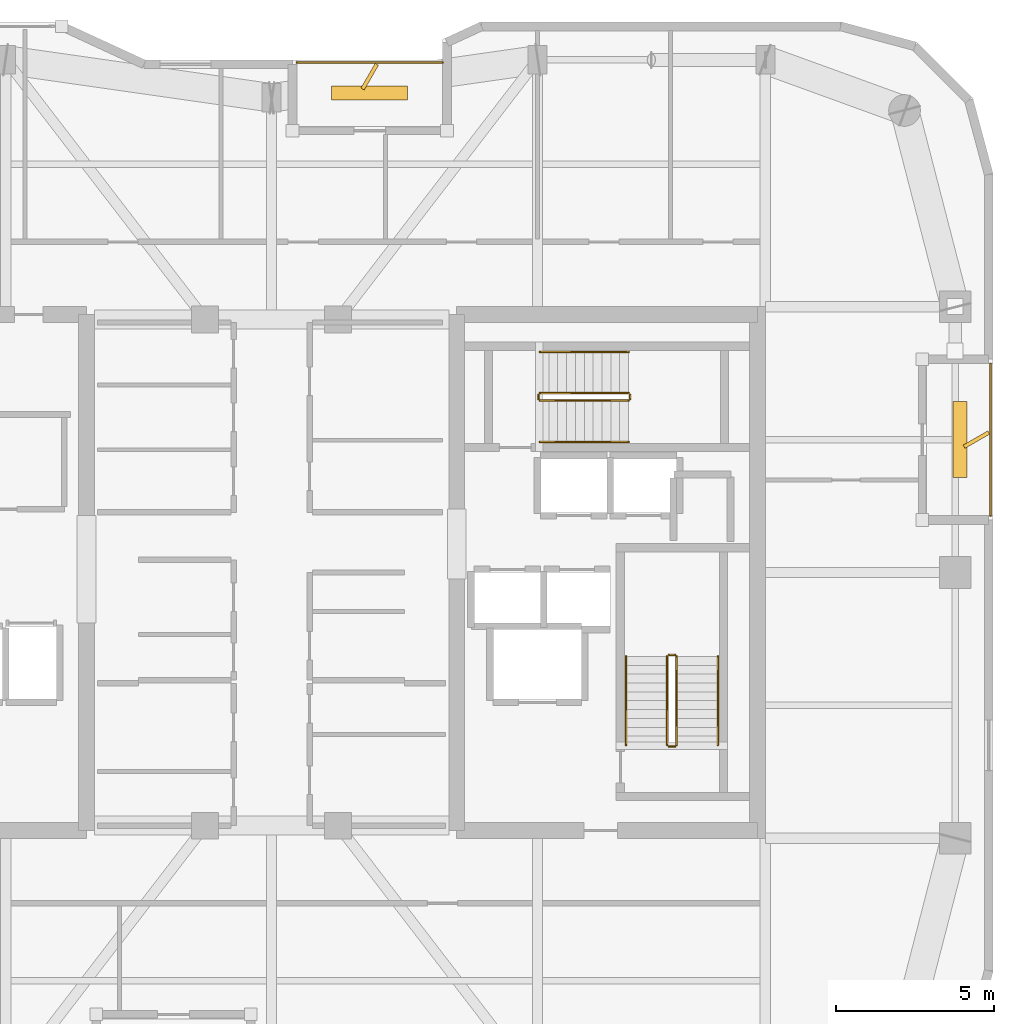
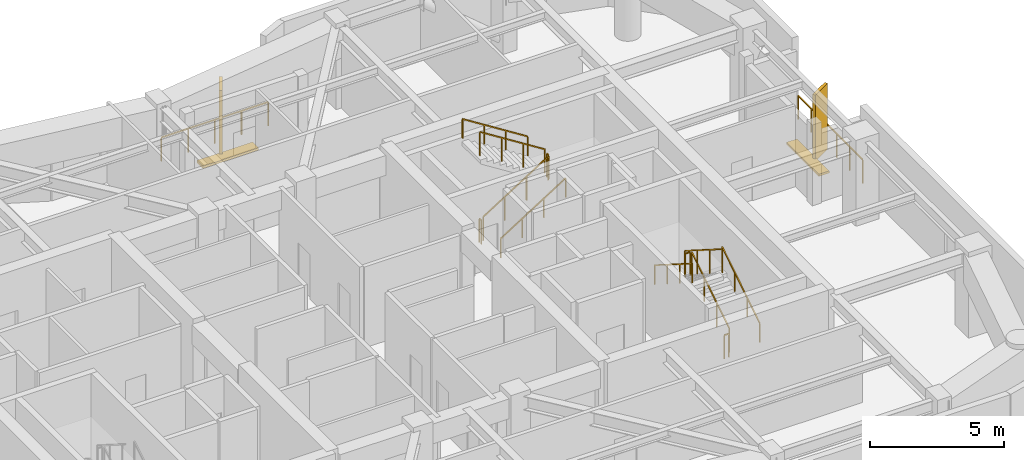
# One storey, part 15 of 15: 14 railings, 4 shading devices.
"""IFC4 building model written with IfcOpenShell, lengths in metres."""

from ifc_helpers import new_model, si_unit, direction, frame, origin, origin_2d, place, context, subcontext, project, spatial, rectangle, extrude, material, type_object, element, save


model = new_model("IFC4")

# Units and contexts
model_context = context("Model", 3, precision=1e-05, world=origin(), true_north=direction((0.0, 1.0)))
body_context = subcontext(model_context, "Body", "Model", "MODEL_VIEW")
ifc_project = project(units=[si_unit("LENGTHUNIT", "METRE"), si_unit("AREAUNIT", "SQUARE_METRE"), si_unit("VOLUMEUNIT", "CUBIC_METRE"), si_unit("PLANEANGLEUNIT", "RADIAN"), si_unit("MASSUNIT", "GRAM", prefix="KILO")], contexts=[model_context])

# Site, building, storey
site_placement = place(None, origin())
site = spatial("IfcSite", under=ifc_project, at=site_placement, CompositionType="ELEMENT")
building_placement = place(site_placement, origin())
building = spatial("IfcBuilding", under=site, at=building_placement, Name="Kiyonajd Concourse Tower", CompositionType="ELEMENT")
storey_placement = place(building_placement, frame((0.0, 0.0, 274.5)))
storey = spatial("IfcBuildingStorey", under=building, at=storey_placement, Name="L69", CompositionType="ELEMENT", Elevation=274.5)

# Railings
ifc_material_1 = material(Name="Thermally Broken Anodised Aluminium", Category="aluminium")
railing_type_1 = type_object("IfcRailingType", Name="RL-GRD-LOG", PredefinedType="GUARDRAIL", material=ifc_material_1)
railing_1_placement = place(storey_placement, frame((53.39990234375, 52.1201171875, 0.0)))
element("IfcRailing", 1, at=railing_1_placement, inside=storey, type_object=railing_type_1, Name="L69 Engawa Loggia Perimeter Guard LOG-N", PredefinedType="GUARDRAIL", context=body_context, shape_type="SweptSolid", body=[
    extrude(rectangle(XDim=0.048095703125, YDim=0.048095703125, at=origin_2d()), frame((0.0, 0.0, 1.076171875), z_axis=(-1.0, 0.0, 0.0), x_axis=(0.0, -1.0, 0.0)), (0.0, 0.0, 1.0), 4.599853515625),
    extrude(rectangle(XDim=0.0419921875, YDim=0.0419921875, at=origin_2d()), origin(), (0.0, 0.0, 1.0), 1.052001953125),
    extrude(rectangle(XDim=0.0419921875, YDim=0.0419921875, at=origin_2d()), frame((-1.14990234375, 0.0, 0.0)), (0.0, 0.0, 1.0), 1.052001953125),
    extrude(rectangle(XDim=0.0419921875, YDim=0.0419921875, at=origin_2d()), frame((-2.2998046875, 0.0, 0.0)), (0.0, 0.0, 1.0), 1.052001953125),
    extrude(rectangle(XDim=0.0419921875, YDim=0.0419921875, at=origin_2d()), frame((-3.449951171875, 0.0, 0.0)), (0.0, 0.0, 1.0), 1.052001953125),
    extrude(rectangle(XDim=0.0419921875, YDim=0.0419921875, at=origin_2d()), frame((-4.599853515625, 0.0, 0.0)), (0.0, 0.0, 1.0), 1.052001953125),
])
railing_2_placement = place(storey_placement, frame((70.719970703125, 37.800048828125, 0.0)))
element("IfcRailing", 2, at=railing_2_placement, inside=storey, type_object=railing_type_1, Name="L69 Engawa Loggia Perimeter Guard LOG-E", PredefinedType="GUARDRAIL", context=body_context, shape_type="SweptSolid", body=[
    extrude(rectangle(XDim=0.048095703125, YDim=0.048095703125, at=origin_2d()), frame((0.0, 0.0, 1.076171875), z_axis=(0.0, 1.0, 0.0), x_axis=(-1.0, 0.0, 0.0)), (0.0, 0.0, 1.0), 4.800048828125),
    extrude(rectangle(XDim=0.0419921875, YDim=0.0419921875, at=origin_2d()), origin(), (0.0, 0.0, 1.0), 1.052001953125),
    extrude(rectangle(XDim=0.0419921875, YDim=0.0419921875, at=origin_2d()), frame((0.0, 0.9599609375, 0.0)), (0.0, 0.0, 1.0), 1.052001953125),
    extrude(rectangle(XDim=0.0419921875, YDim=0.0419921875, at=origin_2d()), frame((0.0, 1.919921875, 0.0)), (0.0, 0.0, 1.0), 1.052001953125),
    extrude(rectangle(XDim=0.0419921875, YDim=0.0419921875, at=origin_2d()), frame((0.0, 2.880126953125, 0.0)), (0.0, 0.0, 1.0), 1.052001953125),
    extrude(rectangle(XDim=0.0419921875, YDim=0.0419921875, at=origin_2d()), frame((0.0, 3.840087890625, 0.0)), (0.0, 0.0, 1.0), 1.052001953125),
    extrude(rectangle(XDim=0.0419921875, YDim=0.0419921875, at=origin_2d()), frame((0.0, 4.800048828125, 0.0)), (0.0, 0.0, 1.0), 1.052001953125),
])
ifc_material_2 = material(Name="Steel ASTM A500 Grade C", Category="steel")
railing_type_2 = type_object("IfcRailingType", Name="RL-GRD-STR", PredefinedType="GUARDRAIL", material=ifc_material_2)
railing_3_placement = place(storey_placement, frame((60.800048828125, 30.550048828125, 0.17724609375)))
element("IfcRailing", 3, at=railing_3_placement, inside=storey, type_object=railing_type_2, Name="L69 ST2 stair guard 1", PredefinedType="GUARDRAIL", context=body_context, shape_type="SweptSolid", body=[
    extrude(rectangle(XDim=0.048095703125, YDim=0.048095703125, at=origin_2d()), frame((0.0, 0.0, 1.076171875), z_axis=(0.0, 0.844908973607, 0.534910110503), x_axis=(-1.0, 0.0, 0.0)), (0.0, 0.0, 1.0), 3.31396484375),
    extrude(rectangle(XDim=0.0419921875, YDim=0.0419921875, at=origin_2d()), origin(), (0.0, 0.0, 1.0), 1.052001953125),
    extrude(rectangle(XDim=0.0419921875, YDim=0.0419921875, at=origin_2d()), frame((0.0, 0.933349609375, 0.5908203125)), (0.0, 0.0, 1.0), 1.052001953125),
    extrude(rectangle(XDim=0.0419921875, YDim=0.0419921875, at=origin_2d()), frame((0.0, 1.86669921875, 1.181884765625)), (0.0, 0.0, 1.0), 1.052001953125),
    extrude(rectangle(XDim=0.0419921875, YDim=0.0419921875, at=origin_2d()), frame((0.0, 2.800048828125, 1.772705078125)), (0.0, 0.0, 1.0), 1.052001953125),
])
railing_4_placement = place(storey_placement, frame((60.75, 33.39990234375, 1.949951171875)))
element("IfcRailing", 4, at=railing_4_placement, inside=storey, type_object=railing_type_2, Name="L69 ST2 stair guard 2", PredefinedType="GUARDRAIL", context=body_context, shape_type="SweptSolid", body=[
    extrude(rectangle(XDim=0.048095703125, YDim=0.048095703125, at=origin_2d()), frame((0.0, 0.0, 1.076171875), z_axis=(-1.0, 0.0, 0.0), x_axis=(0.0, -1.0, 0.0)), (0.0, 0.0, 1.0), 0.199951171875),
    extrude(rectangle(XDim=0.0419921875, YDim=0.0419921875, at=origin_2d()), origin(), (0.0, 0.0, 1.0), 1.052001953125),
    extrude(rectangle(XDim=0.0419921875, YDim=0.0419921875, at=origin_2d()), frame((-0.199951171875, 0.0, 0.0)), (0.0, 0.0, 1.0), 1.052001953125),
])
railing_5_placement = place(storey_placement, frame((60.5, 33.35009765625, 2.127197265625)))
element("IfcRailing", 5, at=railing_5_placement, inside=storey, type_object=railing_type_2, Name="L69 ST2 stair guard 3", PredefinedType="GUARDRAIL", context=body_context, shape_type="SweptSolid", body=[
    extrude(rectangle(XDim=0.048095703125, YDim=0.048095703125, at=origin_2d()), frame((0.0, 0.0, 1.076171875), z_axis=(0.0, -0.844908973607, 0.534910110503), x_axis=(1.0, 0.0, 0.0)), (0.0, 0.0, 1.0), 3.31396484375),
    extrude(rectangle(XDim=0.0419921875, YDim=0.0419921875, at=origin_2d()), origin(), (0.0, 0.0, 1.0), 1.052001953125),
    extrude(rectangle(XDim=0.0419921875, YDim=0.0419921875, at=origin_2d()), frame((0.0, -0.933349609375, 0.5908203125)), (0.0, 0.0, 1.0), 1.052001953125),
    extrude(rectangle(XDim=0.0419921875, YDim=0.0419921875, at=origin_2d()), frame((0.0, -1.86669921875, 1.181884765625)), (0.0, 0.0, 1.0), 1.052001953125),
    extrude(rectangle(XDim=0.0419921875, YDim=0.0419921875, at=origin_2d()), frame((0.0, -2.800048828125, 1.772705078125)), (0.0, 0.0, 1.0), 1.052001953125),
])
railing_6_placement = place(storey_placement, frame((60.75, 30.5, 0.0)))
element("IfcRailing", 6, at=railing_6_placement, inside=storey, type_object=railing_type_2, Name="L69 ST2 stair guard 4", PredefinedType="GUARDRAIL", context=body_context, shape_type="SweptSolid", body=[
    extrude(rectangle(XDim=0.048095703125, YDim=0.048095703125, at=origin_2d()), frame((0.0, 0.0, 1.076171875), z_axis=(-1.0, 0.0, 0.0), x_axis=(0.0, -1.0, 0.0)), (0.0, 0.0, 1.0), 0.199951171875),
    extrude(rectangle(XDim=0.0419921875, YDim=0.0419921875, at=origin_2d()), origin(), (0.0, 0.0, 1.0), 1.052001953125),
    extrude(rectangle(XDim=0.0419921875, YDim=0.0419921875, at=origin_2d()), frame((-0.199951171875, 0.0, 0.0)), (0.0, 0.0, 1.0), 1.052001953125),
])
railing_7_placement = place(storey_placement, frame((56.47998046875, 41.429931640625, 0.17724609375)))
element("IfcRailing", 7, at=railing_7_placement, inside=storey, type_object=railing_type_2, Name="L69 ST3 stair guard 1", PredefinedType="GUARDRAIL", context=body_context, shape_type="SweptSolid", body=[
    extrude(rectangle(XDim=0.048095703125, YDim=0.048095703125, at=origin_2d()), frame((0.0, 0.0, 1.076171875), z_axis=(0.844908973607, 0.0, 0.534910110503), x_axis=(0.0, 1.0, 0.0)), (0.0, 0.0, 1.0), 3.31396484375),
    extrude(rectangle(XDim=0.0419921875, YDim=0.0419921875, at=origin_2d()), origin(), (0.0, 0.0, 1.0), 1.052001953125),
    extrude(rectangle(XDim=0.0419921875, YDim=0.0419921875, at=origin_2d()), frame((0.933349609375, 0.0, 0.5908203125)), (0.0, 0.0, 1.0), 1.052001953125),
    extrude(rectangle(XDim=0.0419921875, YDim=0.0419921875, at=origin_2d()), frame((1.86669921875, 0.0, 1.181884765625)), (0.0, 0.0, 1.0), 1.052001953125),
    extrude(rectangle(XDim=0.0419921875, YDim=0.0419921875, at=origin_2d()), frame((2.800048828125, 0.0, 1.772705078125)), (0.0, 0.0, 1.0), 1.052001953125),
])
railing_8_placement = place(storey_placement, frame((59.330078125, 41.47998046875, 1.949951171875)))
element("IfcRailing", 8, at=railing_8_placement, inside=storey, type_object=railing_type_2, Name="L69 ST3 stair guard 2", PredefinedType="GUARDRAIL", context=body_context, shape_type="SweptSolid", body=[
    extrude(rectangle(XDim=0.048095703125, YDim=0.048095703125, at=origin_2d()), frame((0.0, 0.0, 1.076171875), z_axis=(0.0, 1.0, 0.0), x_axis=(-1.0, 0.0, 0.0)), (0.0, 0.0, 1.0), 0.14013671875),
    extrude(rectangle(XDim=0.0419921875, YDim=0.0419921875, at=origin_2d()), origin(), (0.0, 0.0, 1.0), 1.052001953125),
    extrude(rectangle(XDim=0.0419921875, YDim=0.0419921875, at=origin_2d()), frame((0.0, 0.14013671875, 0.0)), (0.0, 0.0, 1.0), 1.052001953125),
])
railing_9_placement = place(storey_placement, frame((59.280029296875, 41.669921875, 2.127197265625)))
element("IfcRailing", 9, at=railing_9_placement, inside=storey, type_object=railing_type_2, Name="L69 ST3 stair guard 3", PredefinedType="GUARDRAIL", context=body_context, shape_type="SweptSolid", body=[
    extrude(rectangle(XDim=0.048095703125, YDim=0.048095703125, at=origin_2d()), frame((0.0, 0.0, 1.076171875), z_axis=(-0.844908973607, 0.0, 0.534910110503), x_axis=(0.0, -1.0, 0.0)), (0.0, 0.0, 1.0), 3.31396484375),
    extrude(rectangle(XDim=0.0419921875, YDim=0.0419921875, at=origin_2d()), origin(), (0.0, 0.0, 1.0), 1.052001953125),
    extrude(rectangle(XDim=0.0419921875, YDim=0.0419921875, at=origin_2d()), frame((-0.933349609375, 0.0, 0.5908203125)), (0.0, 0.0, 1.0), 1.052001953125),
    extrude(rectangle(XDim=0.0419921875, YDim=0.0419921875, at=origin_2d()), frame((-1.86669921875, 0.0, 1.181884765625)), (0.0, 0.0, 1.0), 1.052001953125),
    extrude(rectangle(XDim=0.0419921875, YDim=0.0419921875, at=origin_2d()), frame((-2.800048828125, 0.0, 1.772705078125)), (0.0, 0.0, 1.0), 1.052001953125),
])
railing_10_placement = place(storey_placement, frame((56.429931640625, 41.47998046875, 0.0)))
element("IfcRailing", 10, at=railing_10_placement, inside=storey, type_object=railing_type_2, Name="L69 ST3 stair guard 4", PredefinedType="GUARDRAIL", context=body_context, shape_type="SweptSolid", body=[
    extrude(rectangle(XDim=0.048095703125, YDim=0.048095703125, at=origin_2d()), frame((0.0, 0.0, 1.076171875), z_axis=(0.0, 1.0, 0.0), x_axis=(-1.0, 0.0, 0.0)), (0.0, 0.0, 1.0), 0.14013671875),
    extrude(rectangle(XDim=0.0419921875, YDim=0.0419921875, at=origin_2d()), origin(), (0.0, 0.0, 1.0), 1.052001953125),
    extrude(rectangle(XDim=0.0419921875, YDim=0.0419921875, at=origin_2d()), frame((0.0, 0.14013671875, 0.0)), (0.0, 0.0, 1.0), 1.052001953125),
])
ifc_material_3 = material(Name="Brushed Stainless Steel Cab Assembly", Category="steel")
railing_type_3 = type_object("IfcRailingType", Name="RL-HND-900", PredefinedType="HANDRAIL", material=ifc_material_3)
railing_11_placement = place(storey_placement, frame((62.10009765625, 30.550048828125, 0.17724609375)))
element("IfcRailing", 11, at=railing_11_placement, inside=storey, type_object=railing_type_3, Name="L69 ST2 stair handrail 1", PredefinedType="HANDRAIL", context=body_context, shape_type="SweptSolid", body=[
    extrude(rectangle(XDim=0.048095703125, YDim=0.048095703125, at=origin_2d()), frame((0.0, 0.0, 0.8759765625), z_axis=(0.0, 0.844908973607, 0.534910110503), x_axis=(-1.0, 0.0, 0.0)), (0.0, 0.0, 1.0), 3.31396484375),
    extrude(rectangle(XDim=0.0419921875, YDim=0.0419921875, at=origin_2d()), origin(), (0.0, 0.0, 1.0), 0.851806640625),
    extrude(rectangle(XDim=0.0419921875, YDim=0.0419921875, at=origin_2d()), frame((0.0, 0.933349609375, 0.5908203125)), (0.0, 0.0, 1.0), 0.851806640625),
    extrude(rectangle(XDim=0.0419921875, YDim=0.0419921875, at=origin_2d()), frame((0.0, 1.86669921875, 1.181884765625)), (0.0, 0.0, 1.0), 0.851806640625),
    extrude(rectangle(XDim=0.0419921875, YDim=0.0419921875, at=origin_2d()), frame((0.0, 2.800048828125, 1.772705078125)), (0.0, 0.0, 1.0), 0.851806640625),
])
railing_12_placement = place(storey_placement, frame((59.199951171875, 33.35009765625, 2.127197265625)))
element("IfcRailing", 12, at=railing_12_placement, inside=storey, type_object=railing_type_3, Name="L69 ST2 stair handrail 2", PredefinedType="HANDRAIL", context=body_context, shape_type="SweptSolid", body=[
    extrude(rectangle(XDim=0.048095703125, YDim=0.048095703125, at=origin_2d()), frame((0.0, 0.0, 0.8759765625), z_axis=(0.0, -0.844908973607, 0.534910110503), x_axis=(1.0, 0.0, 0.0)), (0.0, 0.0, 1.0), 3.31396484375),
    extrude(rectangle(XDim=0.0419921875, YDim=0.0419921875, at=origin_2d()), origin(), (0.0, 0.0, 1.0), 0.851806640625),
    extrude(rectangle(XDim=0.0419921875, YDim=0.0419921875, at=origin_2d()), frame((0.0, -0.933349609375, 0.5908203125)), (0.0, 0.0, 1.0), 0.851806640625),
    extrude(rectangle(XDim=0.0419921875, YDim=0.0419921875, at=origin_2d()), frame((0.0, -1.86669921875, 1.181884765625)), (0.0, 0.0, 1.0), 0.851806640625),
    extrude(rectangle(XDim=0.0419921875, YDim=0.0419921875, at=origin_2d()), frame((0.0, -2.800048828125, 1.772705078125)), (0.0, 0.0, 1.0), 0.851806640625),
])
railing_13_placement = place(storey_placement, frame((56.47998046875, 40.1298828125, 0.17724609375)))
element("IfcRailing", 13, at=railing_13_placement, inside=storey, type_object=railing_type_3, Name="L69 ST3 stair handrail 1", PredefinedType="HANDRAIL", context=body_context, shape_type="SweptSolid", body=[
    extrude(rectangle(XDim=0.048095703125, YDim=0.048095703125, at=origin_2d()), frame((0.0, 0.0, 0.8759765625), z_axis=(0.844908973607, 0.0, 0.534910110503), x_axis=(0.0, 1.0, 0.0)), (0.0, 0.0, 1.0), 3.31396484375),
    extrude(rectangle(XDim=0.0419921875, YDim=0.0419921875, at=origin_2d()), origin(), (0.0, 0.0, 1.0), 0.851806640625),
    extrude(rectangle(XDim=0.0419921875, YDim=0.0419921875, at=origin_2d()), frame((0.933349609375, 0.0, 0.5908203125)), (0.0, 0.0, 1.0), 0.851806640625),
    extrude(rectangle(XDim=0.0419921875, YDim=0.0419921875, at=origin_2d()), frame((1.86669921875, 0.0, 1.181884765625)), (0.0, 0.0, 1.0), 0.851806640625),
    extrude(rectangle(XDim=0.0419921875, YDim=0.0419921875, at=origin_2d()), frame((2.800048828125, 0.0, 1.772705078125)), (0.0, 0.0, 1.0), 0.851806640625),
])
railing_14_placement = place(storey_placement, frame((59.280029296875, 42.969970703125, 2.127197265625)))
element("IfcRailing", 14, at=railing_14_placement, inside=storey, type_object=railing_type_3, Name="L69 ST3 stair handrail 2", PredefinedType="HANDRAIL", context=body_context, shape_type="SweptSolid", body=[
    extrude(rectangle(XDim=0.048095703125, YDim=0.048095703125, at=origin_2d()), frame((0.0, 0.0, 0.8759765625), z_axis=(-0.844908973607, 0.0, 0.534910110503), x_axis=(0.0, -1.0, 0.0)), (0.0, 0.0, 1.0), 3.31396484375),
    extrude(rectangle(XDim=0.0419921875, YDim=0.0419921875, at=origin_2d()), origin(), (0.0, 0.0, 1.0), 0.851806640625),
    extrude(rectangle(XDim=0.0419921875, YDim=0.0419921875, at=origin_2d()), frame((-0.933349609375, 0.0, 0.5908203125)), (0.0, 0.0, 1.0), 0.851806640625),
    extrude(rectangle(XDim=0.0419921875, YDim=0.0419921875, at=origin_2d()), frame((-1.86669921875, 0.0, 1.181884765625)), (0.0, 0.0, 1.0), 0.851806640625),
    extrude(rectangle(XDim=0.0419921875, YDim=0.0419921875, at=origin_2d()), frame((-2.800048828125, 0.0, 1.772705078125)), (0.0, 0.0, 1.0), 0.851806640625),
])

# Shading devices
ifc_material_4 = material(Name="Precast concrete C50/60", Category="concrete")
shading_device_type_1 = type_object("IfcShadingDeviceType", Name="SH-FIN-900", PredefinedType="USERDEFINED", material=ifc_material_4)
for number, where, z_axis, x_axis, name in (
    (15, (51.10009765625, 51.669921875, 0.0), (0.0, 0.0, 1.0), (0.5, 0.866025403784, 0.0), "L69 Angled Koshi Solar Fin LOG-N"),
    (16, (70.27001953125, 40.199951171875, 0.0), (0.0, 0.0, 1.0), (0.866025403784, 0.5, 0.0), "L69 Angled Koshi Solar Fin LOG-E"),
):
    element("IfcShadingDevice", number, at=place(storey_placement, frame(where, z_axis=z_axis, x_axis=x_axis)), inside=storey, type_object=shading_device_type_1, Name=name, ObjectType="FIN", PredefinedType="USERDEFINED", context=body_context, shape_type="SweptSolid", body=[
        extrude(rectangle(XDim=0.89990234375, YDim=0.1201171875, at=origin_2d()), origin(), (0.0, 0.0, 1.0), 3.0),
    ])
shading_device_type_2 = type_object("IfcShadingDeviceType", Name="SH-LVR-600", PredefinedType="JALOUSIE", material=ifc_material_1)
for number, where, z_axis, x_axis, name in (
    (17, (51.10009765625, 51.14990234375, 0.0), (0.0, 0.0, 1.0), (1.0, 0.0, 0.0), "L69 Loggia Threshold Louver LOG-N"),
    (18, (69.75, 40.199951171875, 0.0), (0.0, 0.0, 1.0), (0.0, 1.0, 0.0), "L69 Loggia Threshold Louver LOG-E"),
):
    element("IfcShadingDevice", number, at=place(storey_placement, frame(where, z_axis=z_axis, x_axis=x_axis)), inside=storey, type_object=shading_device_type_2, Name=name, PredefinedType="JALOUSIE", context=body_context, shape_type="SweptSolid", body=[
        extrude(rectangle(XDim=2.39990234375, YDim=0.449951171875, at=origin_2d()), origin(), (0.0, 0.0, 1.0), 0.10009765625),
    ])

save(model, "model.ifc")
